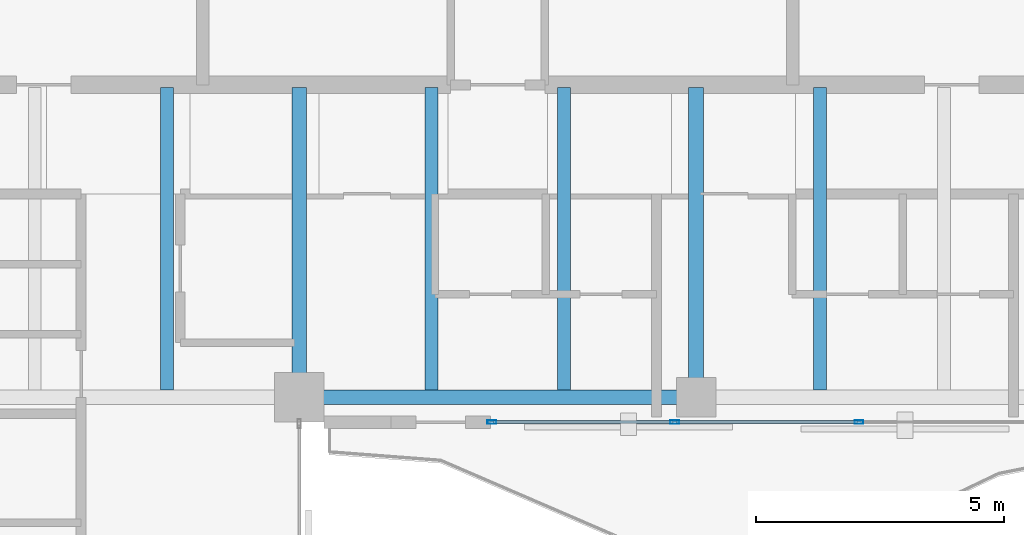
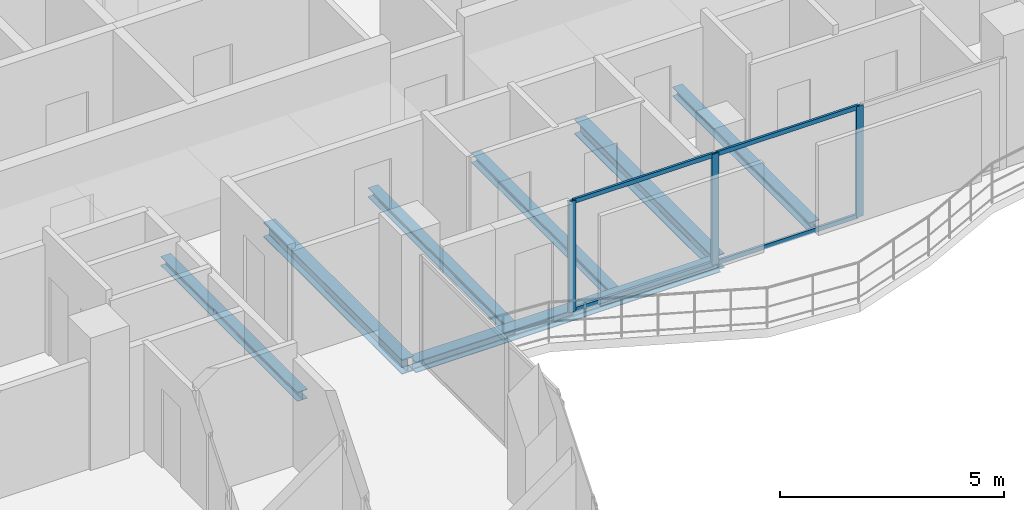
# One storey, part 11 of 23: 7 beams, 7 members, 1 element without a shape of its own.
"""IFC4 building model written with IfcOpenShell, lengths in metres."""

from ifc_helpers import new_model, si_unit, direction, frame, origin, origin_2d, place, context, subcontext, project, spatial, hollow_rectangle, i_section, extrude, material, layer, layer_set, material_profile, profile_set, type_object, element, aggregate, save


model = new_model("IFC4")

# Units and contexts
model_context = context("Model", 3, precision=1e-05, world=origin(), true_north=direction((0.0, 1.0)))
body_context = subcontext(model_context, "Body", "Model", "MODEL_VIEW")
ifc_project = project(units=[si_unit("LENGTHUNIT", "METRE"), si_unit("AREAUNIT", "SQUARE_METRE"), si_unit("VOLUMEUNIT", "CUBIC_METRE"), si_unit("PLANEANGLEUNIT", "RADIAN"), si_unit("MASSUNIT", "GRAM", prefix="KILO")], contexts=[model_context])

# Site, building, storey
site_placement = place(None, origin())
site = spatial("IfcSite", under=ifc_project, at=site_placement, CompositionType="ELEMENT")
building_placement = place(site_placement, origin())
building = spatial("IfcBuilding", under=site, at=building_placement, Name="Catumbela Crestline Tower", CompositionType="ELEMENT")
storey_placement = place(building_placement, frame((0.0, 0.0, 179.4)))
storey = spatial("IfcBuildingStorey", under=building, at=storey_placement, Name="L46", CompositionType="ELEMENT", Elevation=179.4)

# Beams
ifc_material_1 = material(Name="Structural steel S355J2", Category="steel")
ifc_material_profile_1 = material_profile(ifc_material_1, i_section(OverallWidth=0.3, OverallDepth=0.4, WebThickness=0.0135, FlangeThickness=0.024, FilletRadius=0.027, at=origin_2d()), Name="HEB 400")
ifc_profile_set_1 = profile_set([ifc_material_profile_1], Name="Structural steel S355J2")
beam_type_1 = type_object("IfcBeamType", Name="BG-HEB400", PredefinedType="BEAM", material=ifc_profile_set_1)
for number, where, z_axis, x_axis, name in (
    (1, (24.0, 24.58, -0.46), (0.0, 1.0, 0.0), (-1.0, 0.0, 0.0), "L46 Beam BM-L46-SNS18"),
    (2, (32.0, 24.58, -0.46), (0.0, 1.0, 0.0), (-1.0, 0.0, 0.0), "L46 Beam BM-L46-SNS19"),
):
    element("IfcBeam", number, at=place(storey_placement, frame(where, z_axis=z_axis, x_axis=x_axis)), inside=storey, type_object=beam_type_1, Name=name, PredefinedType="BEAM", context=body_context, shape_type="SweptSolid", body=[
        extrude(i_section(OverallWidth=0.3, OverallDepth=0.4, WebThickness=0.0135, FlangeThickness=0.024, FilletRadius=0.027, at=origin_2d()), origin(), (0.0, 0.0, 1.0), 6.17),
    ])
ifc_material_profile_2 = material_profile(ifc_material_1, i_section(OverallWidth=0.26, OverallDepth=0.25, WebThickness=0.0075, FlangeThickness=0.0125, FilletRadius=0.024, at=origin_2d()), Name="HEA 260")
ifc_profile_set_2 = profile_set([ifc_material_profile_2], Name="Structural steel S355J2")
beam_type_2 = type_object("IfcBeamType", Name="BJ-HEA260", PredefinedType="JOIST", material=ifc_profile_set_2)
for number, where, z_axis, x_axis, name in (
    (3, (21.333, 24.647, -0.385), (0.0, 1.0, 0.0), (-1.0, 0.0, 0.0), "L46 Joist JS-L46-SP27"),
    (4, (26.667, 24.647, -0.385), (0.0, 1.0, 0.0), (-1.0, 0.0, 0.0), "L46 Joist JS-L46-SP28"),
    (5, (29.333, 24.647, -0.385), (0.0, 1.0, 0.0), (-1.0, 0.0, 0.0), "L46 Joist JS-L46-SP29"),
    (6, (34.5, 24.647, -0.385), (0.0, 1.0, 0.0), (-1.0, 0.0, 0.0), "L46 Joist JS-L46-SP30"),
):
    element("IfcBeam", number, at=place(storey_placement, frame(where, z_axis=z_axis, x_axis=x_axis)), inside=storey, type_object=beam_type_2, Name=name, PredefinedType="JOIST", context=body_context, shape_type="SweptSolid", body=[
        extrude(i_section(OverallWidth=0.26, OverallDepth=0.25, WebThickness=0.0075, FlangeThickness=0.0125, FilletRadius=0.024, at=origin_2d()), origin(), (0.0, 0.0, 1.0), 6.103),
    ])

# Curtain wall, members
ifc_material_2 = material(Name="Aluminium alloy AW-6060-T66", Category="aluminium")
ifc_layer = layer(ifc_material_2, 0.18, Name="Aluminium alloy AW-6060-T66")
ifc_layer_set = layer_set([ifc_layer], Name="Aluminium alloy AW-6060-T66")
curtain_wall_type = type_object("IfcCurtainWallType", Name="CWU-Z3", PredefinedType="USERDEFINED", material=ifc_layer_set)
curtain_wall_placement = place(storey_placement, origin())
curtain_wall = element("IfcCurtainWall", 7, at=curtain_wall_placement, inside=storey, type_object=curtain_wall_type, Name="L46 Unitised Curtain Wall CW-L46-E3S2", ObjectType="UNITISED", PredefinedType="USERDEFINED")
ifc_material_profile_3 = material_profile(ifc_material_2, hollow_rectangle(XDim=0.065, YDim=0.18, WallThickness=0.004, at=origin_2d()), Name="ALU 180x65x4")
ifc_profile_set_3 = profile_set([ifc_material_profile_3], Name="Aluminium alloy AW-6060-T66")
member_type_1 = type_object("IfcMemberType", Name="MUL-180X65", PredefinedType="MULLION", material=ifc_profile_set_3)
member_1_placement = place(storey_placement, frame((27.8825, 24.0, 0.0), z_axis=(0.0, 0.0, 1.0), x_axis=(0.0, 1.0, 0.0)))
member_1 = element("IfcMember", 8, at=member_1_placement, type_object=member_type_1, Name="CWU-Z3 mullion 1", PredefinedType="MULLION", context=body_context, shape_type="SweptSolid", body=[
    extrude(hollow_rectangle(XDim=0.065, YDim=0.18, WallThickness=0.004, at=origin_2d()), origin(), (0.0, 0.0, 1.0), 3.02),
])
member_2_placement = place(storey_placement, frame((31.5667, 24.0, 0.0), z_axis=(0.0, 0.0, 1.0), x_axis=(0.0, 1.0, 0.0)))
member_2 = element("IfcMember", 9, at=member_2_placement, type_object=member_type_1, Name="CWU-Z3 mullion 2", PredefinedType="MULLION", context=body_context, shape_type="SweptSolid", body=[
    extrude(hollow_rectangle(XDim=0.065, YDim=0.18, WallThickness=0.004, at=origin_2d()), origin(), (0.0, 0.0, 1.0), 3.02),
])
member_3_placement = place(storey_placement, frame((35.2833, 24.0, 0.0), z_axis=(0.0, 0.0, 1.0), x_axis=(0.0, 1.0, 0.0)))
member_3 = element("IfcMember", 10, at=member_3_placement, type_object=member_type_1, Name="CWU-Z3 mullion 3", PredefinedType="MULLION", context=body_context, shape_type="SweptSolid", body=[
    extrude(hollow_rectangle(XDim=0.065, YDim=0.18, WallThickness=0.004, at=origin_2d()), origin(), (0.0, 0.0, 1.0), 3.02),
])

# Beam
ifc_material_profile_4 = material_profile(ifc_material_1, i_section(OverallWidth=0.3, OverallDepth=0.3, WebThickness=0.011, FlangeThickness=0.019, FilletRadius=0.027, at=origin_2d()), Name="HEB 300")
ifc_profile_set_4 = profile_set([ifc_material_profile_4], Name="Structural steel S355J2")
beam_type_3 = type_object("IfcBeamType", Name="BS-HEB300", PredefinedType="SPANDREL", material=ifc_profile_set_4)
beam_placement = place(storey_placement, frame((24.08, 24.5, -0.41), z_axis=(1.0, 0.0, 0.0), x_axis=(0.0, 1.0, 0.0)))
element("IfcBeam", 11, at=beam_placement, inside=storey, type_object=beam_type_3, Name="L46 Spandrel SP-L46-S04", PredefinedType="SPANDREL", context=body_context, shape_type="SweptSolid", body=[
    extrude(i_section(OverallWidth=0.3, OverallDepth=0.3, WebThickness=0.011, FlangeThickness=0.019, FilletRadius=0.027, at=origin_2d()), origin(), (0.0, 0.0, 1.0), 7.84),
])

# Member
ifc_material_profile_5 = material_profile(ifc_material_2, hollow_rectangle(XDim=0.06, YDim=0.12, WallThickness=0.0035, at=origin_2d()), Name="ALU 120x60x3.5")
ifc_profile_set_5 = profile_set([ifc_material_profile_5], Name="Aluminium alloy AW-6060-T66")
member_type_2 = type_object("IfcMemberType", Name="TRN-120X60", PredefinedType="USERDEFINED", material=ifc_profile_set_5)
member_4_placement = place(storey_placement, frame((27.915, 24.0, 0.03), z_axis=(1.0, 0.0, 0.0), x_axis=(0.0, 1.0, 0.0)))
member_4 = element("IfcMember", 12, at=member_4_placement, type_object=member_type_2, Name="CWU-Z3 transom 1.1", ObjectType="TRANSOM", PredefinedType="USERDEFINED", context=body_context, shape_type="SweptSolid", body=[
    extrude(hollow_rectangle(XDim=0.06, YDim=0.12, WallThickness=0.0035, at=origin_2d()), origin(), (0.0, 0.0, 1.0), 3.6192),
])

member_5_placement = place(storey_placement, frame((27.915, 24.0, 2.99), z_axis=(1.0, 0.0, 0.0), x_axis=(0.0, 1.0, 0.0)))
member_5 = element("IfcMember", 13, at=member_5_placement, type_object=member_type_2, Name="CWU-Z3 transom 1.2", ObjectType="TRANSOM", PredefinedType="USERDEFINED", context=body_context, shape_type="SweptSolid", body=[
    extrude(hollow_rectangle(XDim=0.06, YDim=0.12, WallThickness=0.0035, at=origin_2d()), origin(), (0.0, 0.0, 1.0), 3.6192),
])

member_6_placement = place(storey_placement, frame((31.5992, 24.0, 0.03), z_axis=(1.0, 0.0, 0.0), x_axis=(0.0, 1.0, 0.0)))
member_6 = element("IfcMember", 14, at=member_6_placement, type_object=member_type_2, Name="CWU-Z3 transom 2.1", ObjectType="TRANSOM", PredefinedType="USERDEFINED", context=body_context, shape_type="SweptSolid", body=[
    extrude(hollow_rectangle(XDim=0.06, YDim=0.12, WallThickness=0.0035, at=origin_2d()), origin(), (0.0, 0.0, 1.0), 3.6516),
])

member_7_placement = place(storey_placement, frame((31.5992, 24.0, 2.99), z_axis=(1.0, 0.0, 0.0), x_axis=(0.0, 1.0, 0.0)))
member_7 = element("IfcMember", 15, at=member_7_placement, type_object=member_type_2, Name="CWU-Z3 transom 2.2", ObjectType="TRANSOM", PredefinedType="USERDEFINED", context=body_context, shape_type="SweptSolid", body=[
    extrude(hollow_rectangle(XDim=0.06, YDim=0.12, WallThickness=0.0035, at=origin_2d()), origin(), (0.0, 0.0, 1.0), 3.6516),
])

aggregate(curtain_wall, [member_1, member_2, member_3, member_4, member_5, member_6, member_7])

save(model, "model.ifc")
